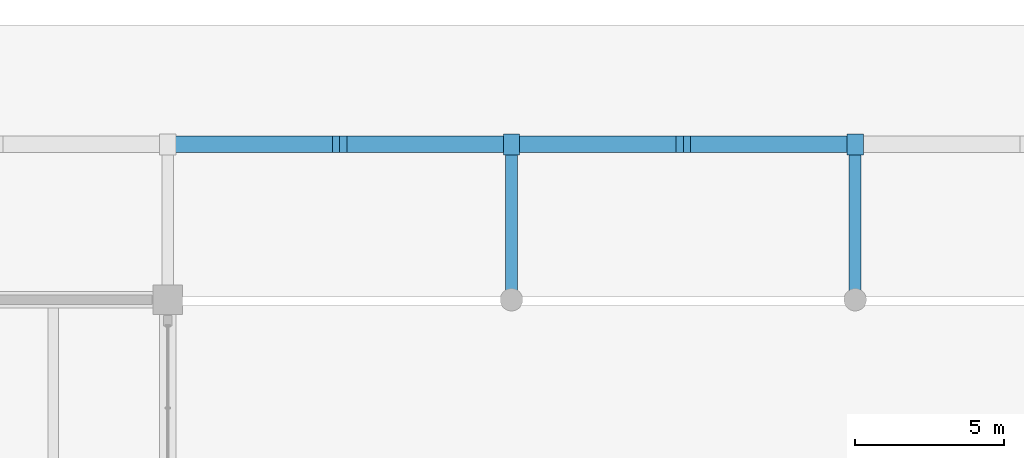
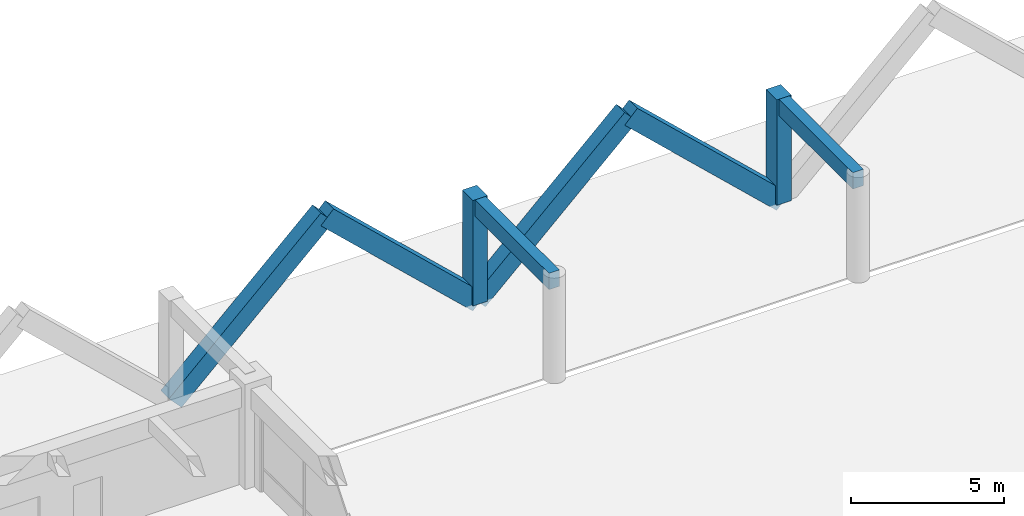
# One storey, part 47 of 109: 6 members, 2 beams.
"""IFC4 building model written with IfcOpenShell, lengths in metres."""

from ifc_helpers import new_model, si_unit, direction, frame, origin, origin_2d, place, context, subcontext, project, spatial, rectangle, extrude, material, material_profile, profile_set, type_object, element, save


model = new_model("IFC4")

# Units and contexts
model_context = context("Model", 3, precision=1e-05, world=origin(), true_north=direction((0.0, 1.0)))
body_context = subcontext(model_context, "Body", "Model", "MODEL_VIEW")
ifc_project = project(units=[si_unit("LENGTHUNIT", "METRE"), si_unit("AREAUNIT", "SQUARE_METRE"), si_unit("VOLUMEUNIT", "CUBIC_METRE"), si_unit("PLANEANGLEUNIT", "RADIAN"), si_unit("MASSUNIT", "GRAM", prefix="KILO")], contexts=[model_context])

# Site, building, storey
site_placement = place(None, origin())
site = spatial("IfcSite", under=ifc_project, at=site_placement, CompositionType="ELEMENT")
building_placement = place(site_placement, origin())
building = spatial("IfcBuilding", under=site, at=building_placement, Name="Ologun Quay Terminus", CompositionType="ELEMENT")
storey_placement = place(building_placement, origin())
storey = spatial("IfcBuildingStorey", under=building, at=storey_placement, Name="L00", CompositionType="ELEMENT", Elevation=0.0)

# Members
ifc_material_1 = material(Name="Concrete C45/55", Category="concrete")
ifc_material_profile_1 = material_profile(ifc_material_1, rectangle(XDim=0.550048828125, YDim=0.699951171875, at=origin_2d()), Name="RC 550x700")
ifc_profile_set_1 = profile_set([ifc_material_profile_1], Name="Concrete C45/55")
member_type = type_object("IfcMemberType", Name="Folded Canopy Concrete V-Strut 550x700", PredefinedType="STRUT", material=ifc_profile_set_1)
member_1_placement = place(storey_placement, frame((80.5, 120.0, 0.0), z_axis=(0.0, 0.0, 1.0), x_axis=(1.0, 0.0, 0.0)))
element("IfcMember", 1, at=member_1_placement, inside=storey, type_object=member_type, Name="VS2 Harbour Colonnade Pier 8/L", PredefinedType="STRUT", context=body_context, shape_type="SweptSolid", body=[
    extrude(rectangle(XDim=0.550048828125, YDim=0.699951171875, at=origin_2d()), origin(), (0.0, 0.0, 1.0), 4.219970703125),
])
for number, where, z_axis, x_axis, name in (
    (2, (69.0, 120.0, 0.0), (0.727684573488, 0.0, 0.685911919643), (0.0, 1.0, 0.0), "VS2 Colonnade Strut 7/L-E"),
    (3, (80.5, 120.0, 0.0), (-0.727684573488, 0.0, 0.685911919643), (0.0, -1.0, 0.0), "VS2 Colonnade Strut 8/L-W"),
):
    element("IfcMember", number, at=place(storey_placement, frame(where, z_axis=z_axis, x_axis=x_axis)), inside=storey, type_object=member_type, Name=name, PredefinedType="STRUT", context=body_context, shape_type="SweptSolid", body=[
        extrude(rectangle(XDim=0.550048828125, YDim=0.699951171875, at=origin_2d()), origin(), (0.0, 0.0, 1.0), 7.90185546875),
    ])
member_2_placement = place(storey_placement, frame((92.0, 120.0, 0.0), z_axis=(0.0, 0.0, 1.0), x_axis=(1.0, 0.0, 0.0)))
element("IfcMember", 4, at=member_2_placement, inside=storey, type_object=member_type, Name="VS2 Harbour Colonnade Pier 9/L", PredefinedType="STRUT", context=body_context, shape_type="SweptSolid", body=[
    extrude(rectangle(XDim=0.550048828125, YDim=0.699951171875, at=origin_2d()), origin(), (0.0, 0.0, 1.0), 4.219970703125),
])
for number, where, z_axis, x_axis, name in (
    (5, (80.5, 120.0, 0.0), (0.727684573488, 0.0, 0.685911919643), (0.0, 1.0, 0.0), "VS2 Colonnade Strut 8/L-E"),
    (6, (92.0, 120.0, 0.0), (-0.727684573488, 0.0, 0.685911919643), (0.0, -1.0, 0.0), "VS2 Colonnade Strut 9/L-W"),
):
    element("IfcMember", number, at=place(storey_placement, frame(where, z_axis=z_axis, x_axis=x_axis)), inside=storey, type_object=member_type, Name=name, PredefinedType="STRUT", context=body_context, shape_type="SweptSolid", body=[
        extrude(rectangle(XDim=0.550048828125, YDim=0.699951171875, at=origin_2d()), origin(), (0.0, 0.0, 1.0), 7.90185546875),
    ])

# Beams
ifc_material_2 = material(Name="Concrete C40/50", Category="concrete")
ifc_material_profile_2 = material_profile(ifc_material_2, rectangle(XDim=0.39990234375, YDim=0.64990234375, at=origin_2d()), Name="RC 400x650")
ifc_profile_set_2 = profile_set([ifc_material_profile_2], Name="Concrete C40/50")
beam_type = type_object("IfcBeamType", Name="Station Secondary Joist 400x650", PredefinedType="JOIST", material=ifc_profile_set_2)
for number, where, z_axis, x_axis, name in (
    (7, (80.5, 114.800048828125, 3.89501953125), (0.0, 1.0, 0.0), (-1.0, 0.0, 0.0), "J1 Beam 8/L L00"),
    (8, (92.0, 114.800048828125, 3.89501953125), (0.0, 1.0, 0.0), (-1.0, 0.0, 0.0), "J1 Beam 9/L L00"),
):
    element("IfcBeam", number, at=place(storey_placement, frame(where, z_axis=z_axis, x_axis=x_axis)), inside=storey, type_object=beam_type, Name=name, PredefinedType="JOIST", context=body_context, shape_type="SweptSolid", body=[
        extrude(rectangle(XDim=0.39990234375, YDim=0.64990234375, at=origin_2d()), origin(), (0.0, 0.0, 1.0), 5.199951171875),
    ])

save(model, "model.ifc")
